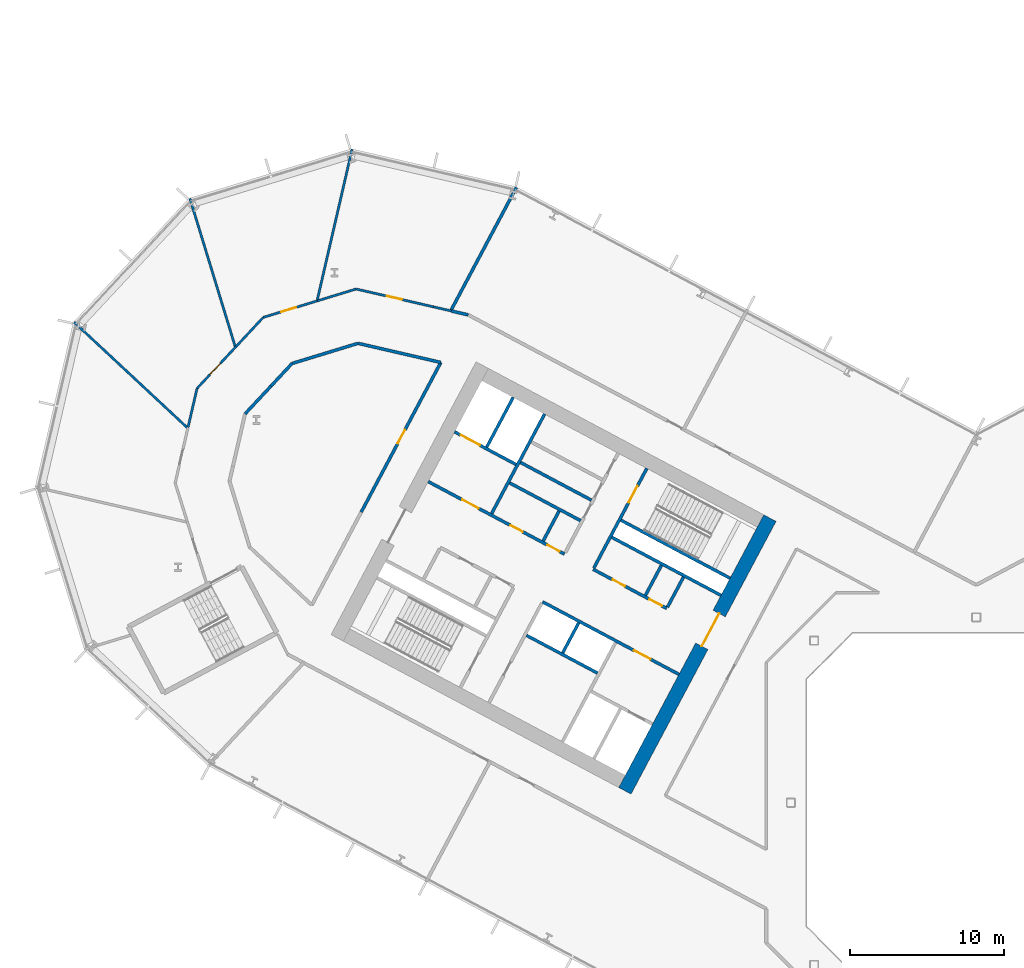
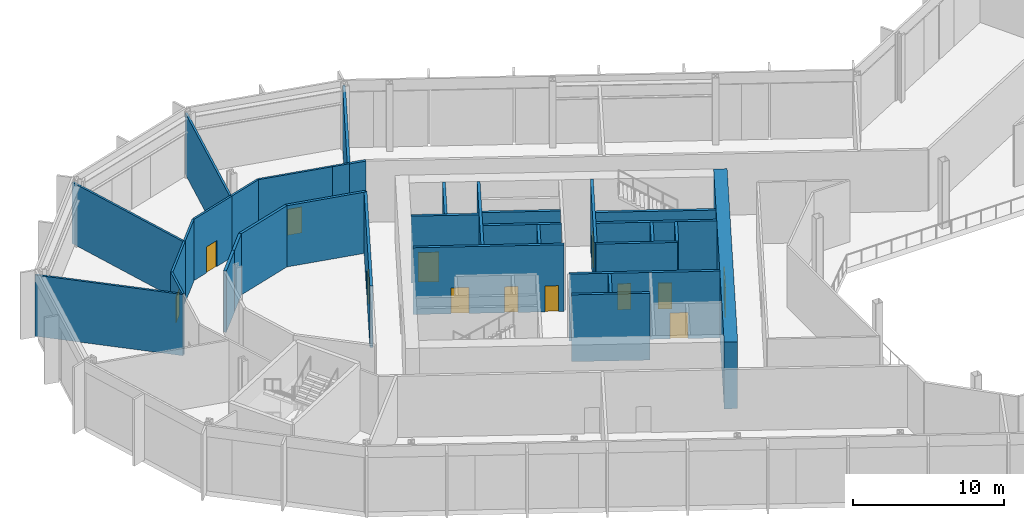
# One storey, part 13 of 31: 34 walls, 13 doors, 13 openings.
"""IFC4 building model written with IfcOpenShell, lengths in metres."""

import ifcopenshell
import ifcopenshell.guid

model = None  # the IFC model being written
_history = None  # IfcOwnerHistory: only IFC2X3 demands one
_inside = {}  # id of a spatial element -> (the spatial element, [elements in it])
_under = {}  # id of a project, library or spatial element -> (it, [spatial elements below it])
_declared = {}  # id of a project -> (the project, [libraries it declares])
_typed = {}  # id of a type object -> (the type object, [elements of that type])
_made_of = {}  # id of a material, layer set ... -> (it, [elements and type objects made of it])


def new_model(schema):
    """Start an empty IFC model of exactly this schema.

    Asked for "IFC4X3", IfcOpenShell would pick the latest addendum, in which some entities
    have other attributes; the version numbers below select the first issue.
    IFC2X3 requires an IfcOwnerHistory on every rooted entity: one is made here for all.
    """
    global model, _history
    if schema == "IFC4X3":
        model = ifcopenshell.file(schema_version=(4, 3, 0, 0))
    else:
        model = ifcopenshell.file(schema=schema)
    _inside.clear()
    _under.clear()
    _declared.clear()
    _typed.clear()
    _made_of.clear()
    _history = None
    if model.schema == "IFC2X3":
        org = make("IfcOrganization", Name="unknown")
        user = make(
            "IfcPersonAndOrganization",
            ThePerson=make("IfcPerson", FamilyName="unknown"),
            TheOrganization=org,
        )
        app = make(
            "IfcApplication",
            ApplicationDeveloper=org,
            Version="unknown",
            ApplicationFullName="unknown",
            ApplicationIdentifier="unknown",
        )
        _history = make(
            "IfcOwnerHistory",
            OwningUser=user,
            OwningApplication=app,
            ChangeAction="ADDED",
            CreationDate=0,
        )
    return model


def make(cls, **values):
    """One entity of the class cls with the attributes given. An attribute that is None is left unset."""
    return model.create_entity(
        cls, **{name: value for name, value in values.items() if value is not None}
    )


def rooted(cls, **values):
    """An entity with a GlobalId (a new one), such as an element, a storey or a relation."""
    return make(cls, GlobalId=ifcopenshell.guid.new(), OwnerHistory=_history, **values)


def si_unit(unit_type, name, prefix=None):
    """IfcSIUnit, for example si_unit("LENGTHUNIT", "METRE", prefix="MILLI")."""
    return make("IfcSIUnit", UnitType=unit_type, Prefix=prefix, Name=name)


def assignment(units):
    """IfcUnitAssignment: the units of a project."""
    return None if units is None else make("IfcUnitAssignment", Units=units)


def point(xyz):
    """IfcCartesianPoint."""
    return None if xyz is None else make("IfcCartesianPoint", Coordinates=xyz)


def direction(xyz):
    """IfcDirection."""
    return None if xyz is None else make("IfcDirection", DirectionRatios=xyz)


def frame(location, z_axis=None, x_axis=None):
    """IfcAxis2Placement3D, a coordinate frame: its origin and axes. An axis left out is left unset."""
    return make(
        "IfcAxis2Placement3D",
        Location=point(location),
        Axis=direction(z_axis),
        RefDirection=direction(x_axis),
    )


def frame_2d(location, x_axis=None):
    """IfcAxis2Placement2D, a coordinate frame in the plane: its origin and x axis."""
    return make(
        "IfcAxis2Placement2D", Location=point(location), RefDirection=direction(x_axis)
    )


def origin():
    """The frame at (0, 0, 0) with its axes left unset."""
    return frame((0.0, 0.0, 0.0))


def place(relative_to, where):
    """IfcLocalPlacement: puts the frame where relative to a parent placement (None: the world)."""
    return make(
        "IfcLocalPlacement", PlacementRelTo=relative_to, RelativePlacement=where
    )


def context(
    kind, dimensions, precision=None, world=None, true_north=None, identifier=None
):
    """IfcGeometricRepresentationContext, for example the 3D "Model" context."""
    return make(
        "IfcGeometricRepresentationContext",
        ContextIdentifier=identifier,
        ContextType=kind,
        CoordinateSpaceDimension=dimensions,
        Precision=precision,
        WorldCoordinateSystem=world,
        TrueNorth=true_north,
    )


def subcontext(parent, identifier, kind, view, scale=None):
    """IfcGeometricRepresentationSubContext, for example "Body" below "Model"."""
    return make(
        "IfcGeometricRepresentationSubContext",
        ContextIdentifier=identifier,
        ContextType=kind,
        ParentContext=parent,
        TargetScale=scale,
        TargetView=view,
    )


def project(units=None, contexts=None):
    """IfcProject with its units and contexts."""
    return rooted(
        "IfcProject",
        Name="project",
        RepresentationContexts=contexts,
        UnitsInContext=assignment(units),
    )


def spatial(cls, under=None, at=None, **own):
    """A site, building, storey or space (cls), placed at a placement, below another one or the project."""
    s = rooted(cls, ObjectPlacement=at, **own)
    if under is not None:
        _under.setdefault(under.id(), (under, []))[1].append(s)
    return s


def profile(cls, at=None, kind="AREA", **sizes):
    """A parametric profile (cls). Its sizes go by their IFC names, for example OverallWidth=200.0."""
    return make(cls, ProfileType=kind, Position=at, **sizes)


def rectangle(**sizes):
    """IfcRectangleProfileDef."""
    return profile("IfcRectangleProfileDef", **sizes)


def extrude(swept, where, along, depth):
    """IfcExtrudedAreaSolid: the profile swept, set in the frame where, extruded along a direction by depth."""
    return make(
        "IfcExtrudedAreaSolid",
        SweptArea=swept,
        Position=where,
        ExtrudedDirection=direction(along),
        Depth=depth,
    )


def shape(context_of_items, identifier, shape_type, items):
    """IfcShapeRepresentation: the items that make up one representation, for example the "Body"."""
    return make(
        "IfcShapeRepresentation",
        ContextOfItems=context_of_items,
        RepresentationIdentifier=identifier,
        RepresentationType=shape_type,
        Items=items,
    )


def material(Name=None, Category=None):
    """IfcMaterial."""
    return make("IfcMaterial", Name=Name, Category=Category)


def layer(
    of_material, thickness, ventilated=None, Name=None, Category=None, Priority=None
):
    """IfcMaterialLayer: one layer of a wall or slab, of a material (None: an air gap)."""
    return make(
        "IfcMaterialLayer",
        Material=of_material,
        LayerThickness=thickness,
        IsVentilated=ventilated,
        Name=Name,
        Category=Category,
        Priority=Priority,
    )


def layer_set(layers, Name=None):
    """IfcMaterialLayerSet."""
    return make("IfcMaterialLayerSet", MaterialLayers=layers, LayerSetName=Name)


def made_of(thing, what):
    """Note that an element or type object is made of a material, layer set ...; save() writes the relation."""
    if what is not None:
        _made_of.setdefault(what.id(), (what, []))[1].append(thing)
    return thing


def type_object(cls, material=None, **own):
    """A type object (cls), such as IfcWallType, which elements share."""
    return made_of(rooted(cls, **own), material)


def element(
    cls,
    number,
    at=None,
    inside=None,
    cuts=None,
    type_object=None,
    material=None,
    context=None,
    identifier="Body",
    shape_type=None,
    held_by="IfcProductDefinitionShape",
    body=None,
    shapes=None,
    **own,
):
    """One element of the class cls, such as IfcWall. Its Tag is "e" and its number.

    at: its placement. inside: the storey or other place that contains it. cuts: it is an
    opening in that element (IfcRelVoidsElement). A single representation is given by context,
    identifier, shape_type and body (its items); several are given by shapes. held_by: the class
    of the entity that holds the representations. save() writes the other relations.
    """
    e = rooted(cls, Tag="e%d" % number, ObjectPlacement=at, **own)
    if body is not None:
        shapes = [shape(context, identifier, shape_type, body)]
    if shapes is not None:
        e.Representation = make(held_by, Representations=shapes)
    if inside is not None:
        _inside.setdefault(inside.id(), (inside, []))[1].append(e)
    if cuts is not None:
        rooted(
            "IfcRelVoidsElement", RelatingBuildingElement=cuts, RelatedOpeningElement=e
        )
    if type_object is not None:
        _typed.setdefault(type_object.id(), (type_object, []))[1].append(e)
    return made_of(e, material)


def fill(opening, filler):
    """IfcRelFillsElement: the door or window that sits in an opening."""
    return rooted(
        "IfcRelFillsElement",
        RelatingOpeningElement=opening,
        RelatedBuildingElement=filler,
    )


def aggregate(whole, parts):
    """IfcRelAggregates: a whole, such as a stair, and the parts it consists of."""
    return rooted("IfcRelAggregates", RelatingObject=whole, RelatedObjects=parts)


def save(model, path):
    """Write the relations noted so far, then the file.

    IfcRelAggregates (storeys below a building ...), IfcRelContainedInSpatialStructure (elements
    in a storey), IfcRelDefinesByType, IfcRelAssociatesMaterial and IfcRelDeclares: one each for
    every whole, place, type object, material and project.
    """
    for whole, parts in _under.values():
        aggregate(whole, parts)
    for where, things in _inside.values():
        rooted(
            "IfcRelContainedInSpatialStructure",
            RelatedElements=things,
            RelatingStructure=where,
        )
    for kind, things in _typed.values():
        rooted("IfcRelDefinesByType", RelatedObjects=things, RelatingType=kind)
    for what, things in _made_of.values():
        rooted("IfcRelAssociatesMaterial", RelatedObjects=things, RelatingMaterial=what)
    for by, libraries in _declared.values():
        rooted("IfcRelDeclares", RelatingContext=by, RelatedDefinitions=libraries)
    model.write(path)


model = new_model("IFC4")

# Units and contexts
model_context = context("Model", 3, precision=1e-05, world=origin(), true_north=direction((0.0, 1.0)))
body_context = subcontext(model_context, "Body", "Model", "MODEL_VIEW")
ifc_project = project(units=[si_unit("LENGTHUNIT", "METRE"), si_unit("AREAUNIT", "SQUARE_METRE"), si_unit("VOLUMEUNIT", "CUBIC_METRE"), si_unit("PLANEANGLEUNIT", "RADIAN"), si_unit("MASSUNIT", "GRAM", prefix="KILO")], contexts=[model_context])

# Site, building, storey
site_placement = place(None, origin())
site = spatial("IfcSite", under=ifc_project, at=site_placement, CompositionType="ELEMENT")
building_placement = place(site_placement, origin())
building = spatial("IfcBuilding", under=site, at=building_placement, Name="Cormorant Relay Tower", CompositionType="ELEMENT")
storey_placement = place(building_placement, frame((0.0, 0.0, 50.0)))
storey = spatial("IfcBuildingStorey", under=building, at=storey_placement, Name="L09", CompositionType="ELEMENT", Elevation=50.0)

# Walls
ifc_material_1 = material(Name="Concrete 40 MPa", Category="concrete")
ifc_layer_1 = layer(ifc_material_1, 0.199951171875)
ifc_layer_set_1 = layer_set([ifc_layer_1], Name="Core internal wall 200")
wall_type_1 = type_object("IfcWallType", Name="Core internal wall 200", PredefinedType="SOLIDWALL", material=ifc_layer_set_1)
wall_1_placement = place(storey_placement, frame((-20.39013671875, 15.371826171875, 0.0), z_axis=(0.0, 0.0, 1.0), x_axis=(-0.4694473164, -0.882960484464, 0.0)))
element("IfcWall", 1, at=wall_1_placement, inside=storey, type_object=wall_type_1, Name="L09 core A shaft and room wall", PredefinedType="SOLIDWALL", context=body_context, shape_type="SweptSolid", body=[
    extrude(rectangle(XDim=2.199951171875, YDim=0.199951171875, at=frame_2d((1.10009765625, 0.0))), origin(), (0.0, 0.0, 1.0), 5.39990234375),
])
wall_2_placement = place(storey_placement, frame((-25.744140625, 11.64990234375, 0.0), z_axis=(0.0, 0.0, 1.0), x_axis=(-0.469487830541, -0.882938942948, 0.0)))
element("IfcWall", 2, at=wall_2_placement, inside=storey, type_object=wall_type_1, Name="L09 core A shaft and room wall", PredefinedType="SOLIDWALL", context=body_context, shape_type="SweptSolid", body=[
    extrude(rectangle(XDim=2.2001953125, YDim=0.199951171875, at=frame_2d((1.10009765625, 0.0))), origin(), (0.0, 0.0, 1.0), 5.39990234375),
])
wall_3_placement = place(storey_placement, frame((-27.01220703125, 18.892822265625, 0.0), z_axis=(0.0, 0.0, 1.0), x_axis=(-0.4694473164, -0.882960484464, 0.0)))
element("IfcWall", 3, at=wall_3_placement, inside=storey, type_object=wall_type_1, Name="L09 core A shaft and room wall", PredefinedType="SOLIDWALL", context=body_context, shape_type="SweptSolid", body=[
    extrude(rectangle(XDim=2.199951171875, YDim=0.199951171875, at=frame_2d((1.10009765625, 0.0))), origin(), (0.0, 0.0, 1.0), 5.39990234375),
])
wall_4_placement = place(storey_placement, frame((-24.9189453125, 19.592041015625, 0.0), z_axis=(0.0, 0.0, 1.0), x_axis=(-0.882953967957, 0.469459572775, 0.0)))
element("IfcWall", 4, at=wall_4_placement, inside=storey, type_object=wall_type_1, Name="L09 core A shaft and room wall", PredefinedType="SOLIDWALL", context=body_context, shape_type="SweptSolid", body=[
    extrude(rectangle(XDim=5.199951171875, YDim=0.199951171875, at=frame_2d((2.60009765625, 0.0))), origin(), (0.0, 0.0, 1.0), 5.39990234375),
])
ifc_material_2 = material(Name="Concrete 50 MPa", Category="concrete")
ifc_layer_2 = layer(ifc_material_2, 0.199951171875)
ifc_layer_set_2 = layer_set([ifc_layer_2], Name="Core shaft wall 200")
wall_type_2 = type_object("IfcWallType", Name="Core shaft wall 200", PredefinedType="SHEAR", material=ifc_layer_set_2)
wall_5_placement = place(storey_placement, frame((-18.959716796875, 14.611328125, 0.0), z_axis=(0.0, 0.0, 1.0), x_axis=(-0.4694473164, -0.882960484464, 0.0)))
element("IfcWall", 5, at=wall_5_placement, inside=storey, type_object=wall_type_2, Name="L09 core A shaft wall", PredefinedType="SHEAR", context=body_context, shape_type="SweptSolid", body=[
    extrude(rectangle(XDim=2.199951171875, YDim=0.199951171875, at=frame_2d((1.10009765625, 0.0))), origin(), (0.0, 0.0, 1.0), 5.39990234375),
])

# Wall, opening, door
wall_6_placement = place(storey_placement, frame((-21.333251953125, 21.6494140625, 0.0), z_axis=(0.0, 0.0, 1.0), x_axis=(-0.469494272526, -0.882935517501, 0.0)))
wall_6 = element("IfcWall", 6, at=wall_6_placement, inside=storey, type_object=wall_type_2, Name="L09 core A shaft wall", PredefinedType="SHEAR", context=body_context, shape_type="SweptSolid", body=[
    extrude(rectangle(XDim=7.2998046875, YDim=0.199951171875, at=frame_2d((3.64990234375, 0.0))), origin(), (0.0, 0.0, 1.0), 5.39990234375),
])
opening_1_placement = place(wall_6_placement, frame((1.300048828125, 0.0, 0.0)))
opening_1 = element("IfcOpeningElement", 7, at=opening_1_placement, cuts=wall_6, Name="Opening CDB-019", PredefinedType="OPENING", context=body_context, shape_type="SweptSolid", body=[
    extrude(rectangle(XDim=1.199951171875, YDim=2.10009765625, at=frame_2d((0.60009765625, 1.050048828125))), frame((0.0, 0.10986328125, 0.0), z_axis=(0.0, -1.0, 0.0), x_axis=(1.0, 0.0, 0.0)), (0.0, 0.0, 1.0), 0.219970703125),
])
ifc_material_3 = material(Name="Steel fire door", Category="steel")
door_type_1 = type_object("IfcDoorType", Name="Core stair door 1200x2100", OperationType="SINGLE_SWING_LEFT", PredefinedType="DOOR", material=ifc_material_3)
door_1_placement = place(opening_1_placement, origin())
door_1 = element("IfcDoor", 8, at=door_1_placement, inside=storey, type_object=door_type_1, Name="Core stair door 1200x2100", OperationType="SINGLE_SWING_RIGHT", OverallHeight=2.10009765625, OverallWidth=1.199951171875, PredefinedType="DOOR", context=body_context, shape_type="SweptSolid", body=[
    extrude(rectangle(XDim=1.199951171875, YDim=2.10009765625, at=frame_2d((0.60009765625, 1.050048828125))), frame((0.0, 0.02490234375, 0.0), z_axis=(0.0, -1.0, 0.0), x_axis=(1.0, 0.0, 0.0)), (0.0, 0.0, 1.0), 0.050048828125),
])
fill(opening_1, door_1)

# Walls
wall_7_placement = place(storey_placement, frame((-27.955322265625, 25.170654296875, 0.0), z_axis=(0.0, 0.0, 1.0), x_axis=(-0.469480409012, -0.88294288918, 0.0)))
element("IfcWall", 9, at=wall_7_placement, inside=storey, type_object=wall_type_2, Name="L09 core A shaft wall", PredefinedType="SHEAR", context=body_context, shape_type="SweptSolid", body=[
    extrude(rectangle(XDim=7.300048828125, YDim=0.199951171875, at=frame_2d((3.64990234375, 0.0))), origin(), (0.0, 0.0, 1.0), 5.39990234375),
])
wall_8_placement = place(storey_placement, frame((-29.986083984375, 26.250244140625, 0.0), z_axis=(0.0, 0.0, 1.0), x_axis=(-0.469494272526, -0.882935517501, 0.0)))
element("IfcWall", 10, at=wall_8_placement, inside=storey, type_object=wall_type_2, Name="L09 core A shaft wall", PredefinedType="SHEAR", context=body_context, shape_type="SweptSolid", body=[
    extrude(rectangle(XDim=3.64990234375, YDim=0.199951171875, at=frame_2d((1.824951171875, 0.0))), origin(), (0.0, 0.0, 1.0), 5.39990234375),
])
wall_9_placement = place(storey_placement, frame((-15.94189453125, 14.53564453125, 0.0), z_axis=(0.0, 0.0, 1.0), x_axis=(-0.882946947542, 0.469472776449, 0.0)))
element("IfcWall", 11, at=wall_9_placement, inside=storey, type_object=wall_type_2, Name="L09 core A shaft wall", PredefinedType="SHEAR", context=body_context, shape_type="SweptSolid", body=[
    extrude(rectangle(XDim=8.000244140625, YDim=0.199951171875, at=frame_2d((4.0, 0.0))), origin(), (0.0, 0.0, 1.0), 5.39990234375),
])

# Wall, opening, door
wall_10_placement = place(storey_placement, frame((-29.80419921875, 21.906494140625, 0.0), z_axis=(0.0, 0.0, 1.0), x_axis=(-0.882960433586, 0.469447412093, 0.0)))
wall_10 = element("IfcWall", 12, at=wall_10_placement, inside=storey, type_object=wall_type_2, Name="L09 core A shaft wall", PredefinedType="SHEAR", context=body_context, shape_type="SweptSolid", body=[
    extrude(rectangle(XDim=4.5, YDim=0.199951171875, at=frame_2d((2.25, 0.0))), origin(), (0.0, 0.0, 1.0), 5.39990234375),
])
opening_2_placement = place(wall_10_placement, frame((2.64990234375, 0.0, 0.0)))
opening_2 = element("IfcOpeningElement", 13, at=opening_2_placement, cuts=wall_10, Name="Opening LD3-007", PredefinedType="OPENING", context=body_context, shape_type="SweptSolid", body=[
    extrude(rectangle(XDim=1.39990234375, YDim=2.39990234375, at=frame_2d((0.699951171875, 1.199951171875))), frame((0.0, 0.10986328125, 0.0), z_axis=(0.0, -1.0, 0.0), x_axis=(1.0, 0.0, 0.0)), (0.0, 0.0, 1.0), 0.219970703125),
])
ifc_material_4 = material(Name="Stainless steel 316", Category="steel")
door_type_2 = type_object("IfcDoorType", Name="Lift landing door 1400x2400", OperationType="DOUBLE_DOOR_SLIDING", PredefinedType="DOOR", material=ifc_material_4)
door_2_placement = place(opening_2_placement, origin())
door_2 = element("IfcDoor", 14, at=door_2_placement, inside=storey, type_object=door_type_2, Name="SV1 landing door", OperationType="DOUBLE_DOOR_SLIDING", OverallHeight=2.39990234375, OverallWidth=1.39990234375, PredefinedType="DOOR", context=body_context, shape_type="SweptSolid", body=[
    extrude(rectangle(XDim=1.39990234375, YDim=2.39990234375, at=frame_2d((0.699951171875, 1.199951171875))), frame((0.0, 0.02490234375, 0.0), z_axis=(0.0, -1.0, 0.0), x_axis=(1.0, 0.0, 0.0)), (0.0, 0.0, 1.0), 0.050048828125),
])
fill(opening_2, door_2)

# Walls
wall_11_placement = place(storey_placement, frame((-16.52880859375, 13.43212890625, 0.0), z_axis=(0.0, 0.0, 1.0), x_axis=(-0.88295287151, 0.469461634952, 0.0)))
element("IfcWall", 15, at=wall_11_placement, inside=storey, type_object=wall_type_2, Name="L09 core A shaft wall", PredefinedType="SHEAR", context=body_context, shape_type="SweptSolid", body=[
    extrude(rectangle(XDim=7.999755859375, YDim=0.199951171875, at=frame_2d((4.0, 0.0))), origin(), (0.0, 0.0, 1.0), 5.39990234375),
])
wall_12_placement = place(storey_placement, frame((-25.623046875, 18.267578125, 0.0), z_axis=(0.0, 0.0, 1.0), x_axis=(-0.882953967957, 0.469459572775, 0.0)))
element("IfcWall", 16, at=wall_12_placement, inside=storey, type_object=wall_type_2, Name="L09 core A shaft wall", PredefinedType="SHEAR", context=body_context, shape_type="SweptSolid", body=[
    extrude(rectangle(XDim=5.199951171875, YDim=0.199951171875, at=frame_2d((2.60009765625, 0.0))), origin(), (0.0, 0.0, 1.0), 5.39990234375),
])

# Wall, openings, doors
wall_13_placement = place(storey_placement, frame((-20.03955078125, 12.58056640625, 0.0), z_axis=(0.0, 0.0, 1.0), x_axis=(-0.882942972946, 0.469480251476, 0.0)))
wall_13 = element("IfcWall", 17, at=wall_13_placement, inside=storey, type_object=wall_type_2, Name="L09 core A shaft wall", PredefinedType="SHEAR", context=body_context, shape_type="SweptSolid", body=[
    extrude(rectangle(XDim=5.39990234375, YDim=0.199951171875, at=frame_2d((2.699951171875, 0.0))), origin(), (0.0, 0.0, 1.0), 5.39990234375),
])
opening_3_placement = place(wall_13_placement, frame((0.360107421875, 0.0, 0.0)))
opening_3 = element("IfcOpeningElement", 18, at=opening_3_placement, cuts=wall_13, Name="Opening CDD-065", PredefinedType="OPENING", context=body_context, shape_type="SweptSolid", body=[
    extrude(rectangle(XDim=0.89990234375, YDim=2.10009765625, at=frame_2d((0.449951171875, 1.050048828125))), frame((0.0, 0.10986328125, 0.0), z_axis=(0.0, -1.0, 0.0), x_axis=(1.0, 0.0, 0.0)), (0.0, 0.0, 1.0), 0.219970703125),
])
opening_4_placement = place(wall_13_placement, frame((3.06005859375, 0.0, 0.0)))
opening_4 = element("IfcOpeningElement", 19, at=opening_4_placement, cuts=wall_13, Name="Opening CDD-066", PredefinedType="OPENING", context=body_context, shape_type="SweptSolid", body=[
    extrude(rectangle(XDim=0.89990234375, YDim=2.10009765625, at=frame_2d((0.449951171875, 1.050048828125))), frame((0.0, 0.10986328125, 0.0), z_axis=(0.0, -1.0, 0.0), x_axis=(1.0, 0.0, 0.0)), (0.0, 0.0, 1.0), 0.219970703125),
])
ifc_material_5 = material(Name="Steel fire door", Category="steel")
door_type_3 = type_object("IfcDoorType", Name="Core room door 900x2100", OperationType="SINGLE_SWING_LEFT", PredefinedType="DOOR", material=ifc_material_5)
door_3_placement = place(opening_3_placement, frame((0.89990234375, 0.0, 0.0), z_axis=(0.0, 0.0, 1.0), x_axis=(-1.0, 0.0, 0.0)))
door_3 = element("IfcDoor", 20, at=door_3_placement, inside=storey, type_object=door_type_3, Name="Core room door 900x2100", OperationType="SINGLE_SWING_RIGHT", OverallHeight=2.10009765625, OverallWidth=0.89990234375, PredefinedType="DOOR", context=body_context, shape_type="SweptSolid", body=[
    extrude(rectangle(XDim=0.89990234375, YDim=2.10009765625, at=frame_2d((0.449951171875, 1.050048828125))), frame((0.0, 0.02490234375, 0.0), z_axis=(0.0, -1.0, 0.0), x_axis=(1.0, 0.0, 0.0)), (0.0, 0.0, 1.0), 0.050048828125),
])
fill(opening_3, door_3)
door_4_placement = place(opening_4_placement, frame((0.89990234375, 0.0, 0.0), z_axis=(0.0, 0.0, 1.0), x_axis=(-1.0, 0.0, 0.0)))
door_4 = element("IfcDoor", 21, at=door_4_placement, inside=storey, type_object=door_type_3, Name="Core room door 900x2100", OperationType="SINGLE_SWING_RIGHT", OverallHeight=2.10009765625, OverallWidth=0.89990234375, PredefinedType="DOOR", context=body_context, shape_type="SweptSolid", body=[
    extrude(rectangle(XDim=0.89990234375, YDim=2.10009765625, at=frame_2d((0.449951171875, 1.050048828125))), frame((0.0, 0.02490234375, 0.0), z_axis=(0.0, -1.0, 0.0), x_axis=(1.0, 0.0, 0.0)), (0.0, 0.0, 1.0), 0.050048828125),
])
fill(opening_4, door_4)

wall_14_placement = place(storey_placement, frame((-26.66162109375, 16.1015625, 0.0), z_axis=(0.0, 0.0, 1.0), x_axis=(-0.882940221191, 0.469485426614, 0.0)))
wall_14 = element("IfcWall", 22, at=wall_14_placement, inside=storey, type_object=wall_type_2, Name="L09 core A shaft wall", PredefinedType="SHEAR", context=body_context, shape_type="SweptSolid", body=[
    extrude(rectangle(XDim=10.0, YDim=0.199951171875, at=frame_2d((5.0, 0.0))), origin(), (0.0, 0.0, 1.0), 5.39990234375),
])
opening_5_placement = place(wall_14_placement, frame((6.300048828125, 0.0, 0.0)))
opening_5 = element("IfcOpeningElement", 23, at=opening_5_placement, cuts=wall_14, Name="Opening CDC-014", PredefinedType="OPENING", context=body_context, shape_type="SweptSolid", body=[
    extrude(rectangle(XDim=1.199951171875, YDim=2.10009765625, at=frame_2d((0.60009765625, 1.050048828125))), frame((0.0, 0.10986328125, 0.0), z_axis=(0.0, -1.0, 0.0), x_axis=(1.0, 0.0, 0.0)), (0.0, 0.0, 1.0), 0.219970703125),
])
opening_6_placement = place(wall_14_placement, frame((0.360107421875, 0.0, 0.0)))
opening_6 = element("IfcOpeningElement", 24, at=opening_6_placement, cuts=wall_14, Name="Opening CDD-095", PredefinedType="OPENING", context=body_context, shape_type="SweptSolid", body=[
    extrude(rectangle(XDim=0.89990234375, YDim=2.10009765625, at=frame_2d((0.449951171875, 1.050048828125))), frame((0.0, 0.10986328125, 0.0), z_axis=(0.0, -1.0, 0.0), x_axis=(1.0, 0.0, 0.0)), (0.0, 0.0, 1.0), 0.219970703125),
])
opening_7_placement = place(wall_14_placement, frame((3.06005859375, 0.0, 0.0)))
opening_7 = element("IfcOpeningElement", 25, at=opening_7_placement, cuts=wall_14, Name="Opening CDD-068", PredefinedType="OPENING", context=body_context, shape_type="SweptSolid", body=[
    extrude(rectangle(XDim=0.89990234375, YDim=2.10009765625, at=frame_2d((0.449951171875, 1.050048828125))), frame((0.0, 0.10986328125, 0.0), z_axis=(0.0, -1.0, 0.0), x_axis=(1.0, 0.0, 0.0)), (0.0, 0.0, 1.0), 0.219970703125),
])
ifc_material_6 = material(Name="Steel fire door", Category="steel")
door_type_4 = type_object("IfcDoorType", Name="Core lobby door 1200x2100", OperationType="SINGLE_SWING_LEFT", PredefinedType="DOOR", material=ifc_material_6)
door_5_placement = place(opening_5_placement, origin())
door_5 = element("IfcDoor", 26, at=door_5_placement, inside=storey, type_object=door_type_4, Name="Core lobby door 1200x2100", OperationType="SINGLE_SWING_LEFT", OverallHeight=2.10009765625, OverallWidth=1.199951171875, PredefinedType="DOOR", context=body_context, shape_type="SweptSolid", body=[
    extrude(rectangle(XDim=1.199951171875, YDim=2.10009765625, at=frame_2d((0.60009765625, 1.050048828125))), frame((0.0, 0.02490234375, 0.0), z_axis=(0.0, -1.0, 0.0), x_axis=(1.0, 0.0, 0.0)), (0.0, 0.0, 1.0), 0.050048828125),
])
fill(opening_5, door_5)
door_6_placement = place(opening_6_placement, frame((0.89990234375, 0.0, 0.0), z_axis=(0.0, 0.0, 1.0), x_axis=(-1.0, 0.0, 0.0)))
door_6 = element("IfcDoor", 27, at=door_6_placement, inside=storey, type_object=door_type_3, Name="Core room door 900x2100", OperationType="SINGLE_SWING_RIGHT", OverallHeight=2.10009765625, OverallWidth=0.89990234375, PredefinedType="DOOR", context=body_context, shape_type="SweptSolid", body=[
    extrude(rectangle(XDim=0.89990234375, YDim=2.10009765625, at=frame_2d((0.449951171875, 1.050048828125))), frame((0.0, 0.02490234375, 0.0), z_axis=(0.0, -1.0, 0.0), x_axis=(1.0, 0.0, 0.0)), (0.0, 0.0, 1.0), 0.050048828125),
])
fill(opening_6, door_6)
door_7_placement = place(opening_7_placement, frame((0.89990234375, 0.0, 0.0), z_axis=(0.0, 0.0, 1.0), x_axis=(-1.0, 0.0, 0.0)))
door_7 = element("IfcDoor", 28, at=door_7_placement, inside=storey, type_object=door_type_3, Name="Core room door 900x2100", OperationType="SINGLE_SWING_RIGHT", OverallHeight=2.10009765625, OverallWidth=0.89990234375, PredefinedType="DOOR", context=body_context, shape_type="SweptSolid", body=[
    extrude(rectangle(XDim=0.89990234375, YDim=2.10009765625, at=frame_2d((0.449951171875, 1.050048828125))), frame((0.0, 0.02490234375, 0.0), z_axis=(0.0, -1.0, 0.0), x_axis=(1.0, 0.0, 0.0)), (0.0, 0.0, 1.0), 0.050048828125),
])
fill(opening_7, door_7)

# Wall, opening, door
wall_15_placement = place(storey_placement, frame((-19.251708984375, 8.31103515625, 0.0), z_axis=(0.0, 0.0, 1.0), x_axis=(-0.882955722218, 0.469456273365, 0.0)))
wall_15 = element("IfcWall", 29, at=wall_15_placement, inside=storey, type_object=wall_type_2, Name="L09 core A shaft wall", PredefinedType="SHEAR", context=body_context, shape_type="SweptSolid", body=[
    extrude(rectangle(XDim=10.0, YDim=0.199951171875, at=frame_2d((5.0, 0.0))), origin(), (0.0, 0.0, 1.0), 5.39990234375),
])
opening_8_placement = place(wall_15_placement, frame((2.10009765625, 0.0, 0.0)))
opening_8 = element("IfcOpeningElement", 30, at=opening_8_placement, cuts=wall_15, Name="Opening CDC-013", PredefinedType="OPENING", context=body_context, shape_type="SweptSolid", body=[
    extrude(rectangle(XDim=1.199951171875, YDim=2.10009765625, at=frame_2d((0.60009765625, 1.050048828125))), frame((0.0, 0.10986328125, 0.0), z_axis=(0.0, -1.0, 0.0), x_axis=(1.0, 0.0, 0.0)), (0.0, 0.0, 1.0), 0.219970703125),
])
door_8_placement = place(opening_8_placement, origin())
door_8 = element("IfcDoor", 31, at=door_8_placement, inside=storey, type_object=door_type_4, Name="Core lobby door 1200x2100", OperationType="SINGLE_SWING_RIGHT", OverallHeight=2.10009765625, OverallWidth=1.199951171875, PredefinedType="DOOR", context=body_context, shape_type="SweptSolid", body=[
    extrude(rectangle(XDim=1.199951171875, YDim=2.10009765625, at=frame_2d((0.60009765625, 1.050048828125))), frame((0.0, 0.02490234375, 0.0), z_axis=(0.0, -1.0, 0.0), x_axis=(1.0, 0.0, 0.0)), (0.0, 0.0, 1.0), 0.050048828125),
])
fill(opening_8, door_8)

# Wall
wall_16_placement = place(storey_placement, frame((-24.5283203125, 8.3984375, 0.0), z_axis=(0.0, 0.0, 1.0), x_axis=(-0.882953967957, 0.469459572775, 0.0)))
element("IfcWall", 32, at=wall_16_placement, inside=storey, type_object=wall_type_2, Name="L09 core A shaft wall", PredefinedType="SHEAR", context=body_context, shape_type="SweptSolid", body=[
    extrude(rectangle(XDim=5.199951171875, YDim=0.199951171875, at=frame_2d((2.60009765625, 0.0))), origin(), (0.0, 0.0, 1.0), 5.39990234375),
])

# Wall, opening, door
ifc_material_7 = material(Name="Concrete 70 MPa", Category="concrete")
ifc_layer_3 = layer(ifc_material_7, 0.89990234375)
ifc_layer_set_3 = layer_set([ifc_layer_3], Name="Core wall 900")
wall_type_3 = type_object("IfcWallType", Name="Core wall 900", PredefinedType="SHEAR", material=ifc_layer_set_3)
wall_17_placement = place(storey_placement, frame((-13.361572265625, 18.43017578125, 0.0), z_axis=(0.0, 0.0, 1.0), x_axis=(-0.46947084998, -0.882947971864, 0.0)))
wall_17 = element("IfcWall", 33, at=wall_17_placement, inside=storey, type_object=wall_type_3, Name="L09 core A wall", PredefinedType="SHEAR", context=body_context, shape_type="SweptSolid", body=[
    extrude(rectangle(XDim=20.0, YDim=0.89990234375, at=frame_2d((10.0, 0.0))), origin(), (0.0, 0.0, 1.0), 5.39990234375),
])
opening_9_placement = place(wall_17_placement, frame((7.0, 0.0, 0.0)))
opening_9 = element("IfcOpeningElement", 34, at=opening_9_placement, cuts=wall_17, Name="Opening CDA-013", PredefinedType="OPENING", context=body_context, shape_type="SweptSolid", body=[
    extrude(rectangle(XDim=2.39990234375, YDim=2.39990234375, at=frame_2d((1.199951171875, 1.199951171875))), frame((0.0, 0.4599609375, 0.0), z_axis=(0.0, -1.0, 0.0), x_axis=(1.0, 0.0, 0.0)), (0.0, 0.0, 1.0), 0.919921875),
])
ifc_material_8 = material(Name="Steel fire door", Category="steel")
door_type_5 = type_object("IfcDoorType", Name="Core lobby door 2400x2400", OperationType="DOUBLE_DOOR_SINGLE_SWING", PredefinedType="DOOR", material=ifc_material_8)
door_9_placement = place(opening_9_placement, frame((2.39990234375, 0.0, 0.0), z_axis=(0.0, 0.0, 1.0), x_axis=(-1.0, 0.0, 0.0)))
door_9 = element("IfcDoor", 35, at=door_9_placement, inside=storey, type_object=door_type_5, Name="Core lobby door 2400x2400", OperationType="DOUBLE_DOOR_SINGLE_SWING", OverallHeight=2.39990234375, OverallWidth=2.39990234375, PredefinedType="DOOR", context=body_context, shape_type="SweptSolid", body=[
    extrude(rectangle(XDim=2.39990234375, YDim=2.39990234375, at=frame_2d((1.199951171875, 1.199951171875))), frame((0.0, 0.02490234375, 0.0), z_axis=(0.0, -1.0, 0.0), x_axis=(1.0, 0.0, 0.0)), (0.0, 0.0, 1.0), 0.050048828125),
])
fill(opening_9, door_9)

# Walls
ifc_material_9 = material(Name="Fire-rated gypsum board partition")
ifc_layer_4 = layer(ifc_material_9, 0.199951171875)
ifc_layer_set_4 = layer_set([ifc_layer_4], Name="Fire-rated gypsum partition 200")
wall_type_4 = type_object("IfcWallType", Name="Fire-rated gypsum partition 200", PredefinedType="PARTITIONING", material=ifc_layer_set_4)
wall_18_placement = place(storey_placement, frame((-47.35107421875, 25.177001953125, 0.0), z_axis=(0.0, 0.0, 1.0), x_axis=(0.681950982626, 0.731397878925, 0.0)))
element("IfcWall", 36, at=wall_18_placement, inside=storey, type_object=wall_type_4, Name="wall/L09/part/13", PredefinedType="PARTITIONING", context=body_context, shape_type="SweptSolid", body=[
    extrude(rectangle(XDim=2.4638671875, YDim=0.199951171875, at=frame_2d((1.23193359375, 0.0))), origin(), (0.0, 0.0, 1.0), 4.949951171875),
])
wall_19_placement = place(storey_placement, frame((-40.033935546875, 29.7490234375, 0.0), z_axis=(0.0, 0.0, 1.0), x_axis=(-0.956357512161, -0.29219909126, 0.0)))
element("IfcWall", 37, at=wall_19_placement, inside=storey, type_object=wall_type_4, Name="wall/L09/part/19", PredefinedType="PARTITIONING", context=body_context, shape_type="SweptSolid", body=[
    extrude(rectangle(XDim=4.4658203125, YDim=0.199951171875, at=frame_2d((2.23291015625, 0.0))), origin(), (0.0, 0.0, 1.0), 4.949951171875),
])
wall_20_placement = place(storey_placement, frame((-44.304931640625, 28.444091796875, 0.0), z_axis=(0.0, 0.0, 1.0), x_axis=(-0.681931663517, -0.731415891469, 0.0)))
element("IfcWall", 38, at=wall_20_placement, inside=storey, type_object=wall_type_4, Name="wall/L09/part/20", PredefinedType="PARTITIONING", context=body_context, shape_type="SweptSolid", body=[
    extrude(rectangle(XDim=2.003173828125, YDim=0.199951171875, at=frame_2d((1.00146484375, 0.0))), origin(), (0.0, 0.0, 1.0), 4.949951171875),
])
wall_21_placement = place(storey_placement, frame((-34.673095703125, 28.511962890625, 0.0), z_axis=(0.0, 0.0, 1.0), x_axis=(-0.974393439342, 0.224849784003, 0.0)))
element("IfcWall", 39, at=wall_21_placement, inside=storey, type_object=wall_type_4, Name="wall/L09/part/27", PredefinedType="PARTITIONING", context=body_context, shape_type="SweptSolid", body=[
    extrude(rectangle(XDim=5.501708984375, YDim=0.199951171875, at=frame_2d((2.7509765625, 0.0))), origin(), (0.0, 0.0, 1.0), 4.949951171875),
])

# Wall, opening, door
wall_22_placement = place(storey_placement, frame((-34.673095703125, 28.511962890625, 0.0), z_axis=(0.0, 0.0, 1.0), x_axis=(-0.469440333182, -0.882964197226, 0.0)))
wall_22 = element("IfcWall", 40, at=wall_22_placement, inside=storey, type_object=wall_type_4, Name="wall/L09/part/28", PredefinedType="PARTITIONING", context=body_context, shape_type="SweptSolid", body=[
    extrude(rectangle(XDim=10.9765625, YDim=0.199951171875, at=frame_2d((5.48828125, 0.0))), origin(), (0.0, 0.0, 1.0), 4.949951171875),
])
opening_10_placement = place(wall_22_placement, frame((4.949951171875, 0.0, 0.0)))
opening_10 = element("IfcOpeningElement", 41, at=opening_10_placement, cuts=wall_22, Name="Opening FD1-047", PredefinedType="OPENING", context=body_context, shape_type="SweptSolid", body=[
    extrude(rectangle(XDim=1.0, YDim=2.10009765625, at=frame_2d((0.5, 1.050048828125))), frame((0.0, 0.10986328125, 0.0), z_axis=(0.0, -1.0, 0.0), x_axis=(1.0, 0.0, 0.0)), (0.0, 0.0, 1.0), 0.219970703125),
])
ifc_material_10 = material(Name="Fire-rated steel door", Category="steel")
door_type_6 = type_object("IfcDoorType", Name="Fire door 1000 x 2100", OperationType="SINGLE_SWING_LEFT", PredefinedType="DOOR", material=ifc_material_10)
door_10_placement = place(opening_10_placement, frame((1.0, 0.0, 0.0), z_axis=(0.0, 0.0, 1.0), x_axis=(-1.0, 0.0, 0.0)))
door_10 = element("IfcDoor", 42, at=door_10_placement, inside=storey, type_object=door_type_6, Name="door/L09/1", OperationType="SINGLE_SWING_RIGHT", OverallHeight=2.10009765625, OverallWidth=1.0, PredefinedType="DOOR", context=body_context, shape_type="SweptSolid", body=[
    extrude(rectangle(XDim=1.0, YDim=2.10009765625, at=frame_2d((0.5, 1.050048828125))), frame((0.0, 0.02490234375, 0.0), z_axis=(0.0, -1.0, 0.0), x_axis=(1.0, 0.0, 0.0)), (0.0, 0.0, 1.0), 0.050048828125),
])
fill(opening_10, door_10)

# Walls
wall_23_placement = place(storey_placement, frame((-29.779052734375, 39.845947265625, 0.0), z_axis=(0.0, 0.0, 1.0), x_axis=(-0.469479235169, -0.882943513338, 0.0)))
element("IfcWall", 43, at=wall_23_placement, inside=storey, type_object=wall_type_4, Name="wall/L09/part/30", PredefinedType="PARTITIONING", context=body_context, shape_type="SweptSolid", body=[
    extrude(rectangle(XDim=9.052490234375, YDim=0.199951171875, at=frame_2d((4.5263671875, 0.0))), origin(), (0.0, 0.0, 1.0), 4.949951171875),
])
wall_24_placement = place(storey_placement, frame((-32.89404296875, 31.590087890625, 0.0), z_axis=(0.0, 0.0, 1.0), x_axis=(-0.97437296606, 0.22493848717, 0.0)))
element("IfcWall", 44, at=wall_24_placement, inside=storey, type_object=wall_type_4, Name="wall/L09/part/31", PredefinedType="PARTITIONING", context=body_context, shape_type="SweptSolid", body=[
    extrude(rectangle(XDim=1.128662109375, YDim=0.199951171875, at=frame_2d((0.564453125, 0.0))), origin(), (0.0, 0.0, 1.0), 4.949951171875),
])
ifc_material_11 = material(Name="Gypsum board partition")
ifc_layer_5 = layer(ifc_material_11, 0.14990234375)
ifc_layer_set_5 = layer_set([ifc_layer_5], Name="Gypsum board partition 150")
wall_type_5 = type_object("IfcWallType", Name="Gypsum board partition 150", PredefinedType="PARTITIONING", material=ifc_layer_set_5)
wall_25_placement = place(storey_placement, frame((-58.427001953125, 31.125, 0.0), z_axis=(0.0, 0.0, 1.0), x_axis=(0.731473963822, -0.681869371838, 0.0)))
element("IfcWall", 45, at=wall_25_placement, inside=storey, type_object=wall_type_5, Name="wall/L09/part/2", PredefinedType="PARTITIONING", context=body_context, shape_type="SweptSolid", body=[
    extrude(rectangle(XDim=10.079833984375, YDim=0.14990234375, at=frame_2d((5.0400390625, 0.0))), origin(), (0.0, 0.0, 1.0), 4.949951171875),
])

# Wall, opening, door
wall_26_placement = place(storey_placement, frame((-47.93310546875, 29.5380859375, 0.0), z_axis=(0.0, 0.0, 1.0), x_axis=(-0.682088017664, -0.731270084277, 0.0)))
wall_26 = element("IfcWall", 46, at=wall_26_placement, inside=storey, type_object=wall_type_5, Name="wall/L09/part/7", PredefinedType="PARTITIONING", context=body_context, shape_type="SweptSolid", body=[
    extrude(rectangle(XDim=3.703125, YDim=0.14990234375, at=frame_2d((1.8515625, 0.0))), origin(), (0.0, 0.0, 1.0), 4.949951171875),
])
opening_11_placement = place(wall_26_placement, frame((1.486083984375, 0.0, 0.0)))
opening_11 = element("IfcOpeningElement", 47, at=opening_11_placement, cuts=wall_26, Name="Opening D1-019", PredefinedType="OPENING", context=body_context, shape_type="SweptSolid", body=[
    extrude(rectangle(XDim=1.0, YDim=2.10009765625, at=frame_2d((0.5, 1.050048828125))), frame((0.0, 0.0849609375, 0.0), z_axis=(0.0, -1.0, 0.0), x_axis=(1.0, 0.0, 0.0)), (0.0, 0.0, 1.0), 0.169921875),
])
ifc_material_12 = material(Name="Painted steel door", Category="steel")
door_type_7 = type_object("IfcDoorType", Name="Single door 1000 x 2100", OperationType="SINGLE_SWING_LEFT", PredefinedType="DOOR", material=ifc_material_12)
door_11_placement = place(opening_11_placement, frame((1.0, 0.0, 0.0), z_axis=(0.0, 0.0, 1.0), x_axis=(-1.0, 0.0, 0.0)))
door_11 = element("IfcDoor", 48, at=door_11_placement, inside=storey, type_object=door_type_7, Name="door/L09/15", OperationType="SINGLE_SWING_RIGHT", OverallHeight=2.10009765625, OverallWidth=1.0, PredefinedType="DOOR", context=body_context, shape_type="SweptSolid", body=[
    extrude(rectangle(XDim=1.0, YDim=2.10009765625, at=frame_2d((0.5, 1.050048828125))), frame((0.0, 0.02490234375, 0.0), z_axis=(0.0, -1.0, 0.0), x_axis=(1.0, 0.0, 0.0)), (0.0, 0.0, 1.0), 0.050048828125),
])
fill(opening_11, door_11)

# Walls
wall_27_placement = place(storey_placement, frame((-50.458984375, 26.830078125, 0.0), z_axis=(0.0, 0.0, 1.0), x_axis=(-0.225121568864, -0.974330682691, 0.0)))
element("IfcWall", 49, at=wall_27_placement, inside=storey, type_object=wall_type_5, Name="wall/L09/part/8", PredefinedType="PARTITIONING", context=body_context, shape_type="SweptSolid", body=[
    extrude(rectangle(XDim=2.58544921875, YDim=0.14990234375, at=frame_2d((1.292724609375, 0.0))), origin(), (0.0, 0.0, 1.0), 4.949951171875),
])
wall_28_placement = place(storey_placement, frame((-50.922119140625, 39.133056640625, 0.0), z_axis=(0.0, 0.0, 1.0), x_axis=(0.292463432429, -0.956276707178, 0.0)))
element("IfcWall", 50, at=wall_28_placement, inside=storey, type_object=wall_type_5, Name="wall/L09/part/9", PredefinedType="PARTITIONING", context=body_context, shape_type="SweptSolid", body=[
    extrude(rectangle(XDim=10.079833984375, YDim=0.14990234375, at=frame_2d((5.0400390625, 0.0))), origin(), (0.0, 0.0, 1.0), 4.949951171875),
])

# Wall, opening, door
wall_29_placement = place(storey_placement, frame((-42.653076171875, 32.50390625, 0.0), z_axis=(0.0, 0.0, 1.0), x_axis=(-0.95632425254, -0.292307926687, 0.0)))
wall_29 = element("IfcWall", 51, at=wall_29_placement, inside=storey, type_object=wall_type_5, Name="wall/L09/part/17", PredefinedType="PARTITIONING", context=body_context, shape_type="SweptSolid", body=[
    extrude(rectangle(XDim=3.677490234375, YDim=0.14990234375, at=frame_2d((1.8388671875, 0.0))), origin(), (0.0, 0.0, 1.0), 4.949951171875),
])
opening_12_placement = place(wall_29_placement, frame((1.4609375, 0.0, 0.0)))
opening_12 = element("IfcOpeningElement", 52, at=opening_12_placement, cuts=wall_29, Name="Opening D1-018", PredefinedType="OPENING", context=body_context, shape_type="SweptSolid", body=[
    extrude(rectangle(XDim=1.0, YDim=2.10009765625, at=frame_2d((0.5, 1.050048828125))), frame((0.0, 0.0849609375, 0.0), z_axis=(0.0, -1.0, 0.0), x_axis=(1.0, 0.0, 0.0)), (0.0, 0.0, 1.0), 0.169921875),
])
door_12_placement = place(opening_12_placement, frame((1.0, 0.0, 0.0), z_axis=(0.0, 0.0, 1.0), x_axis=(-1.0, 0.0, 0.0)))
door_12 = element("IfcDoor", 53, at=door_12_placement, inside=storey, type_object=door_type_7, Name="door/L09/14", OperationType="SINGLE_SWING_RIGHT", OverallHeight=2.10009765625, OverallWidth=1.0, PredefinedType="DOOR", context=body_context, shape_type="SweptSolid", body=[
    extrude(rectangle(XDim=1.0, YDim=2.10009765625, at=frame_2d((0.5, 1.050048828125))), frame((0.0, 0.02490234375, 0.0), z_axis=(0.0, -1.0, 0.0), x_axis=(1.0, 0.0, 0.0)), (0.0, 0.0, 1.0), 0.050048828125),
])
fill(opening_12, door_12)

# Walls
wall_30_placement = place(storey_placement, frame((-46.169921875, 31.428955078125, 0.0), z_axis=(0.0, 0.0, 1.0), x_axis=(-0.68198172509, -0.731369213628, 0.0)))
element("IfcWall", 54, at=wall_30_placement, inside=storey, type_object=wall_type_5, Name="wall/L09/part/18", PredefinedType="PARTITIONING", context=body_context, shape_type="SweptSolid", body=[
    extrude(rectangle(XDim=2.58544921875, YDim=0.14990234375, at=frame_2d((1.292724609375, 0.0))), origin(), (0.0, 0.0, 1.0), 4.949951171875),
])
wall_31_placement = place(storey_placement, frame((-40.4189453125, 42.31494140625, 0.0), z_axis=(0.0, 0.0, 1.0), x_axis=(-0.224924959868, -0.974376088802, 0.0)))
element("IfcWall", 55, at=wall_31_placement, inside=storey, type_object=wall_type_5, Name="wall/L09/part/24", PredefinedType="PARTITIONING", context=body_context, shape_type="SweptSolid", body=[
    extrude(rectangle(XDim=10.079345703125, YDim=0.14990234375, at=frame_2d((5.03955078125, 0.0))), origin(), (0.0, 0.0, 1.0), 4.949951171875),
])
wall_32_placement = place(storey_placement, frame((-40.156005859375, 33.26708984375, 0.0), z_axis=(0.0, 0.0, 1.0), x_axis=(-0.956331245239, -0.292285048164, 0.0)))
element("IfcWall", 56, at=wall_32_placement, inside=storey, type_object=wall_type_5, Name="wall/L09/part/25", PredefinedType="PARTITIONING", context=body_context, shape_type="SweptSolid", body=[
    extrude(rectangle(XDim=2.611083984375, YDim=0.14990234375, at=frame_2d((1.3056640625, 0.0))), origin(), (0.0, 0.0, 1.0), 4.949951171875),
])

# Wall, opening, door
wall_33_placement = place(storey_placement, frame((-40.156982421875, 33.26708984375, 0.0), z_axis=(0.0, 0.0, 1.0), x_axis=(0.974407195754, -0.224790161846, 0.0)))
wall_33 = element("IfcWall", 57, at=wall_33_placement, inside=storey, type_object=wall_type_5, Name="wall/L09/part/26", PredefinedType="PARTITIONING", context=body_context, shape_type="SweptSolid", body=[
    extrude(rectangle(XDim=5.142578125, YDim=0.14990234375, at=frame_2d((2.5712890625, 0.0))), origin(), (0.0, 0.0, 1.0), 4.949951171875),
])
opening_13_placement = place(wall_33_placement, frame((2.050048828125, 0.0, 0.0)))
opening_13 = element("IfcOpeningElement", 58, at=opening_13_placement, cuts=wall_33, Name="Opening D1-017", PredefinedType="OPENING", context=body_context, shape_type="SweptSolid", body=[
    extrude(rectangle(XDim=1.0, YDim=2.10009765625, at=frame_2d((0.5, 1.050048828125))), frame((0.0, 0.0849609375, 0.0), z_axis=(0.0, -1.0, 0.0), x_axis=(1.0, 0.0, 0.0)), (0.0, 0.0, 1.0), 0.169921875),
])
door_13_placement = place(opening_13_placement, origin())
door_13 = element("IfcDoor", 59, at=door_13_placement, inside=storey, type_object=door_type_7, Name="door/L09/13", OperationType="SINGLE_SWING_RIGHT", OverallHeight=2.10009765625, OverallWidth=1.0, PredefinedType="DOOR", context=body_context, shape_type="SweptSolid", body=[
    extrude(rectangle(XDim=1.0, YDim=2.10009765625, at=frame_2d((0.5, 1.050048828125))), frame((0.0, 0.02490234375, 0.0), z_axis=(0.0, -1.0, 0.0), x_axis=(1.0, 0.0, 0.0)), (0.0, 0.0, 1.0), 0.050048828125),
])
fill(opening_13, door_13)

# Wall
wall_34_placement = place(storey_placement, frame((-35.14599609375, 32.111083984375, 0.0), z_axis=(0.0, 0.0, 1.0), x_axis=(0.974164552701, -0.225839377125, 0.0)))
element("IfcWall", 60, at=wall_34_placement, inside=storey, type_object=wall_type_5, Name="wall/L09/part/29", PredefinedType="PARTITIONING", context=body_context, shape_type="SweptSolid", body=[
    extrude(rectangle(XDim=1.1826171875, YDim=0.14990234375, at=frame_2d((0.59130859375, 0.0))), origin(), (0.0, 0.0, 1.0), 4.949951171875),
])

save(model, "model.ifc")
